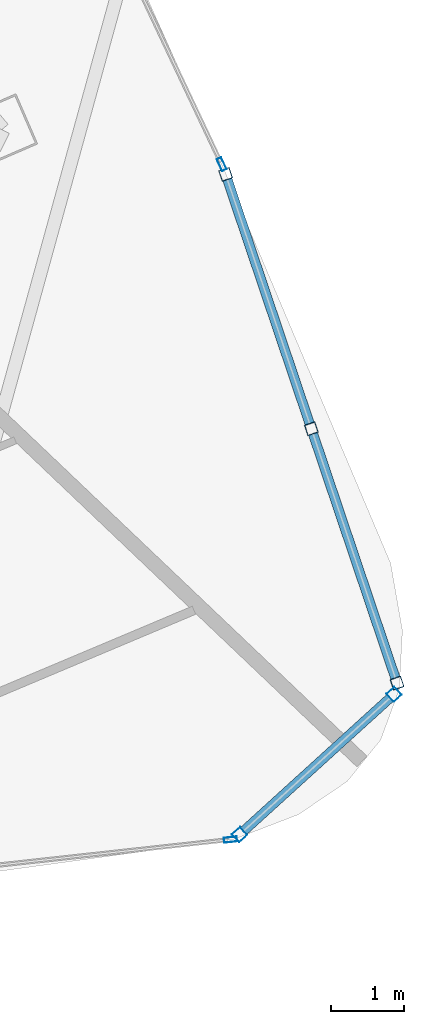
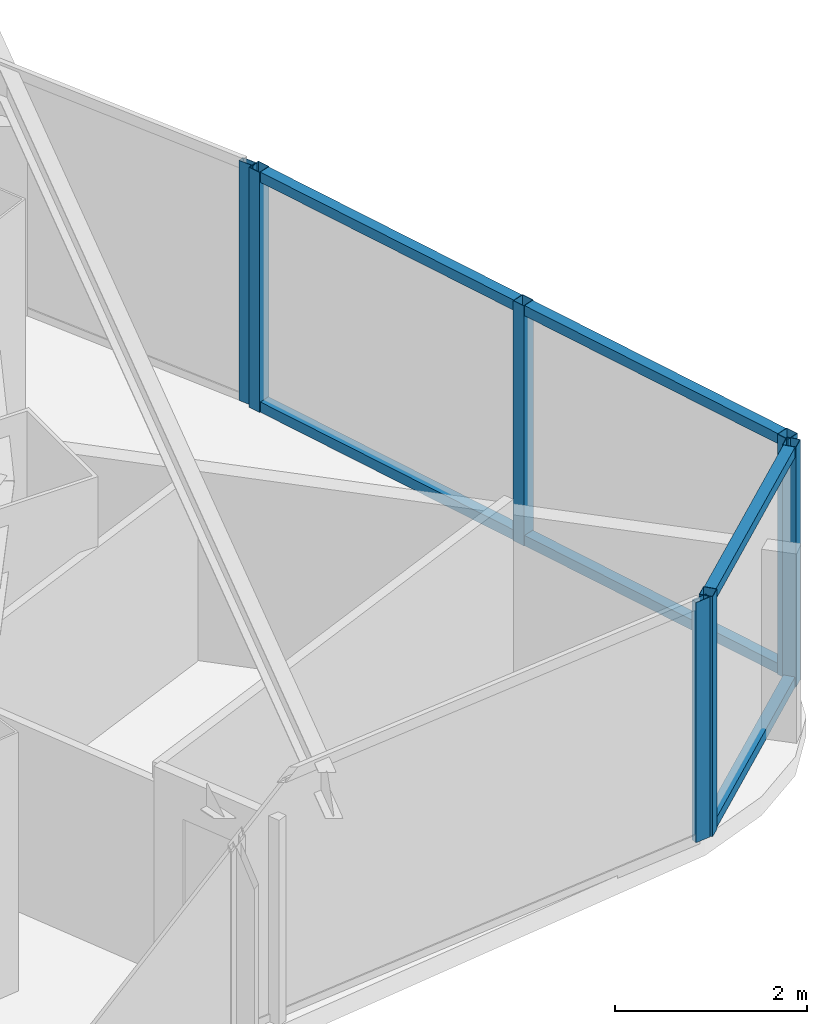
# One storey, part 13 of 31: 13 members, 4 elements without a shape of their own.
"""IFC4 building model written with IfcOpenShell, lengths in metres."""

from ifc_helpers import new_model, si_unit, direction, frame, origin, origin_2d, place, context, subcontext, project, spatial, hollow_rectangle, extrude, material, layer, layer_set, material_profile, profile_set, type_object, element, aggregate, save


model = new_model("IFC4")

# Units and contexts
model_context = context("Model", 3, precision=1e-05, world=origin(), true_north=direction((0.0, 1.0)))
body_context = subcontext(model_context, "Body", "Model", "MODEL_VIEW")
ifc_project = project(units=[si_unit("LENGTHUNIT", "METRE"), si_unit("AREAUNIT", "SQUARE_METRE"), si_unit("VOLUMEUNIT", "CUBIC_METRE"), si_unit("PLANEANGLEUNIT", "RADIAN"), si_unit("MASSUNIT", "GRAM", prefix="KILO")], contexts=[model_context])

# Site, building, storey
site_placement = place(None, origin())
site = spatial("IfcSite", under=ifc_project, at=site_placement, CompositionType="ELEMENT")
building_placement = place(site_placement, origin())
building = spatial("IfcBuilding", under=site, at=building_placement, Name="Orvanel Arch Residences", CompositionType="ELEMENT")
storey_placement = place(building_placement, frame((0.0, 0.0, 113.300048828125)))
storey = spatial("IfcBuildingStorey", under=building, at=storey_placement, Name="L31", CompositionType="ELEMENT", Elevation=113.300048828125)

# Curtain wall, members
ifc_material = material(Name="Bronze-anodised aluminium AA6063-T6", Category="aluminium")
ifc_layer_1 = layer(ifc_material, 0.18994140625)
ifc_layer_set_1 = layer_set([ifc_layer_1], Name="Bronze-anodised aluminium AA6063-T6")
curtain_wall_type_1 = type_object("IfcCurtainWallType", Name="CW5-CRN-SYS", PredefinedType="NOTDEFINED", material=ifc_layer_set_1)
curtain_wall_1_placement = place(storey_placement, origin())
curtain_wall_1 = element("IfcCurtainWall", 1, at=curtain_wall_1_placement, inside=storey, type_object=curtain_wall_type_1, Name="L31 CW5-CRN-SYS Unitised Curtain Wall", PredefinedType="NOTDEFINED")
ifc_material_profile_1 = material_profile(ifc_material, hollow_rectangle(XDim=0.14990234375, YDim=0.14990234375, WallThickness=0.0048828125, at=origin_2d()), Name="ALU150x150x5")
ifc_profile_set_1 = profile_set([ifc_material_profile_1], Name="Bronze-anodised aluminium AA6063-T6")
member_type_1 = type_object("IfcMemberType", Name="MUL-150x150", PredefinedType="MULLION", material=ifc_profile_set_1)
member_1_placement = place(storey_placement, frame((57.16455078125, 4.926513671875, 0.0), z_axis=(0.0, 0.0, 1.0), x_axis=(-0.672374817042, 0.740210851993, 0.0)))
member_1 = element("IfcMember", 2, at=member_1_placement, type_object=member_type_1, Name="CW-S5 mullion 1", PredefinedType="MULLION", context=body_context, shape_type="SweptSolid", body=[
    extrude(hollow_rectangle(XDim=0.14990234375, YDim=0.14990234375, WallThickness=0.0048828125, at=origin_2d()), origin(), (0.0, 0.0, 1.0), 3.06005859375),
])
member_2_placement = place(storey_placement, frame((59.279541015625, 6.84765625, 0.0), z_axis=(0.0, 0.0, 1.0), x_axis=(-0.672374817042, 0.740210851993, 0.0)))
member_2 = element("IfcMember", 3, at=member_2_placement, type_object=member_type_1, Name="CW-S5 mullion 2", PredefinedType="MULLION", context=body_context, shape_type="SweptSolid", body=[
    extrude(hollow_rectangle(XDim=0.14990234375, YDim=0.14990234375, WallThickness=0.0048828125, at=origin_2d()), origin(), (0.0, 0.0, 1.0), 3.06005859375),
])

curtain_wall_2_placement = place(storey_placement, origin())
curtain_wall_2 = element("IfcCurtainWall", 4, at=curtain_wall_2_placement, inside=storey, type_object=curtain_wall_type_1, Name="L31 CW5-CRN-SYS Unitised Curtain Wall", PredefinedType="NOTDEFINED")
member_3_placement = place(storey_placement, frame((59.320068359375, 7.0009765625, 0.0), z_axis=(0.0, 0.0, 1.0), x_axis=(-0.947624973099, -0.319385206856, 0.0)))
member_3 = element("IfcMember", 5, at=member_3_placement, type_object=member_type_1, Name="CW-S5 mullion 1", PredefinedType="MULLION", context=body_context, shape_type="SweptSolid", body=[
    extrude(hollow_rectangle(XDim=0.14990234375, YDim=0.14990234375, WallThickness=0.0048828125, at=origin_2d()), origin(), (0.0, 0.0, 1.0), 3.06005859375),
])
member_4_placement = place(storey_placement, frame((58.14599609375, 10.484619140625, 0.0), z_axis=(0.0, 0.0, 1.0), x_axis=(-0.947624973099, -0.319385206856, 0.0)))
member_4 = element("IfcMember", 6, at=member_4_placement, type_object=member_type_1, Name="CW-S5 mullion 2", PredefinedType="MULLION", context=body_context, shape_type="SweptSolid", body=[
    extrude(hollow_rectangle(XDim=0.14990234375, YDim=0.14990234375, WallThickness=0.0048828125, at=origin_2d()), origin(), (0.0, 0.0, 1.0), 3.06005859375),
])
member_5_placement = place(storey_placement, frame((56.971923828125, 13.968017578125, 0.0), z_axis=(0.0, 0.0, 1.0), x_axis=(-0.947624973099, -0.319385206856, 0.0)))
member_5 = element("IfcMember", 7, at=member_5_placement, type_object=member_type_1, Name="CW-S5 mullion 3", PredefinedType="MULLION", context=body_context, shape_type="SweptSolid", body=[
    extrude(hollow_rectangle(XDim=0.14990234375, YDim=0.14990234375, WallThickness=0.0048828125, at=origin_2d()), origin(), (0.0, 0.0, 1.0), 3.06005859375),
])

# Curtain wall, member
ifc_layer_2 = layer(ifc_material, 0.179931640625)
ifc_layer_set_2 = layer_set([ifc_layer_2], Name="Bronze-anodised aluminium AA6063-T6")
curtain_wall_type_2 = type_object("IfcCurtainWallType", Name="CW3-MID-SYS", PredefinedType="NOTDEFINED", material=ifc_layer_set_2)
curtain_wall_3_placement = place(storey_placement, origin())
curtain_wall_3 = element("IfcCurtainWall", 8, at=curtain_wall_3_placement, inside=storey, type_object=curtain_wall_type_2, Name="L31 CW3-MID-SYS Unitised Curtain Wall", PredefinedType="NOTDEFINED")
ifc_material_profile_2 = material_profile(ifc_material, hollow_rectangle(XDim=0.070068359375, YDim=0.179931640625, WallThickness=0.00439453125, at=origin_2d()), Name="ALU180x70x4.5")
ifc_profile_set_2 = profile_set([ifc_material_profile_2], Name="Bronze-anodised aluminium AA6063-T6")
member_type_2 = type_object("IfcMemberType", Name="MUL-180x70", PredefinedType="MULLION", material=ifc_profile_set_2)
member_6_placement = place(storey_placement, frame((57.039306640625, 4.857177734375, 0.0), z_axis=(0.0, 0.0, 1.0), x_axis=(-0.109154736008, 0.994024770117, 0.0)))
member_6 = element("IfcMember", 9, at=member_6_placement, type_object=member_type_2, Name="CW-S3 mullion 4", PredefinedType="MULLION", context=body_context, shape_type="SweptSolid", body=[
    extrude(hollow_rectangle(XDim=0.070068359375, YDim=0.179931640625, WallThickness=0.00439453125, at=origin_2d()), origin(), (0.0, 0.0, 1.0), 3.06005859375),
])
aggregate(curtain_wall_3, [member_6])

curtain_wall_4_placement = place(storey_placement, origin())
curtain_wall_4 = element("IfcCurtainWall", 10, at=curtain_wall_4_placement, inside=storey, type_object=curtain_wall_type_2, Name="L31 CW3-MID-SYS Unitised Curtain Wall", PredefinedType="NOTDEFINED")
member_7_placement = place(storey_placement, frame((56.91796875, 14.107666015625, 0.0), z_axis=(0.0, 0.0, 1.0), x_axis=(-0.904427848168, -0.42662661363, 0.0)))
member_7 = element("IfcMember", 11, at=member_7_placement, type_object=member_type_2, Name="CW-S3 mullion 1", PredefinedType="MULLION", context=body_context, shape_type="SweptSolid", body=[
    extrude(hollow_rectangle(XDim=0.070068359375, YDim=0.179931640625, WallThickness=0.00439453125, at=origin_2d()), origin(), (0.0, 0.0, 1.0), 3.06005859375),
])
aggregate(curtain_wall_4, [member_7])

# Member
ifc_material_profile_3 = material_profile(ifc_material, hollow_rectangle(XDim=0.1298828125, YDim=0.1298828125, WallThickness=0.00439453125, at=origin_2d()), Name="ALU130x130x4.5")
ifc_profile_set_3 = profile_set([ifc_material_profile_3], Name="Bronze-anodised aluminium AA6063-T6")
member_type_3 = type_object("IfcMemberType", Name="TRN-130x130", PredefinedType="USERDEFINED", material=ifc_profile_set_3)
member_8_placement = place(storey_placement, frame((57.219970703125, 4.976806640625, 0.06494140625), z_axis=(0.7402011737, 0.672385471626, 0.0), x_axis=(-0.672385471626, 0.7402011737, 0.0)))
member_8 = element("IfcMember", 12, at=member_8_placement, type_object=member_type_3, Name="CW-S5 transom 1.1", ObjectType="TRANSOM", PredefinedType="USERDEFINED", context=body_context, shape_type="SweptSolid", body=[
    extrude(hollow_rectangle(XDim=0.1298828125, YDim=0.1298828125, WallThickness=0.00439453125, at=origin_2d()), origin(), (0.0, 0.0, 1.0), 2.707275390625),
])

member_9_placement = place(storey_placement, frame((57.219970703125, 4.976806640625, 2.994873046875), z_axis=(0.7402011737, 0.672385471626, 0.0), x_axis=(-0.672385471626, 0.7402011737, 0.0)))
member_9 = element("IfcMember", 13, at=member_9_placement, type_object=member_type_3, Name="CW-S5 transom 1.2", ObjectType="TRANSOM", PredefinedType="USERDEFINED", context=body_context, shape_type="SweptSolid", body=[
    extrude(hollow_rectangle(XDim=0.1298828125, YDim=0.1298828125, WallThickness=0.00439453125, at=origin_2d()), origin(), (0.0, 0.0, 1.0), 2.707275390625),
])

aggregate(curtain_wall_1, [member_1, member_2, member_8, member_9])

member_10_placement = place(storey_placement, frame((59.296142578125, 7.072265625, 0.06494140625), z_axis=(-0.319425065817, 0.947611538199, 0.0), x_axis=(-0.947611538199, -0.319425065817, 0.0)))
member_10 = element("IfcMember", 14, at=member_10_placement, type_object=member_type_3, Name="CW-S5 transom 1.1", ObjectType="TRANSOM", PredefinedType="USERDEFINED", context=body_context, shape_type="SweptSolid", body=[
    extrude(hollow_rectangle(XDim=0.1298828125, YDim=0.1298828125, WallThickness=0.00439453125, at=origin_2d()), origin(), (0.0, 0.0, 1.0), 3.52587890625),
])

member_11_placement = place(storey_placement, frame((59.296142578125, 7.072265625, 2.994873046875), z_axis=(-0.319425065817, 0.947611538199, 0.0), x_axis=(-0.947611538199, -0.319425065817, 0.0)))
member_11 = element("IfcMember", 15, at=member_11_placement, type_object=member_type_3, Name="CW-S5 transom 1.2", ObjectType="TRANSOM", PredefinedType="USERDEFINED", context=body_context, shape_type="SweptSolid", body=[
    extrude(hollow_rectangle(XDim=0.1298828125, YDim=0.1298828125, WallThickness=0.00439453125, at=origin_2d()), origin(), (0.0, 0.0, 1.0), 3.52587890625),
])

member_12_placement = place(storey_placement, frame((58.1220703125, 10.5556640625, 0.06494140625), z_axis=(-0.319404107424, 0.947618602688, 0.0), x_axis=(-0.947618602688, -0.319404107424, 0.0)))
member_12 = element("IfcMember", 16, at=member_12_placement, type_object=member_type_3, Name="CW-S5 transom 2.1", ObjectType="TRANSOM", PredefinedType="USERDEFINED", context=body_context, shape_type="SweptSolid", body=[
    extrude(hollow_rectangle(XDim=0.1298828125, YDim=0.1298828125, WallThickness=0.00439453125, at=origin_2d()), origin(), (0.0, 0.0, 1.0), 3.526123046875),
])

member_13_placement = place(storey_placement, frame((58.1220703125, 10.5556640625, 2.994873046875), z_axis=(-0.319404107424, 0.947618602688, 0.0), x_axis=(-0.947618602688, -0.319404107424, 0.0)))
member_13 = element("IfcMember", 17, at=member_13_placement, type_object=member_type_3, Name="CW-S5 transom 2.2", ObjectType="TRANSOM", PredefinedType="USERDEFINED", context=body_context, shape_type="SweptSolid", body=[
    extrude(hollow_rectangle(XDim=0.1298828125, YDim=0.1298828125, WallThickness=0.00439453125, at=origin_2d()), origin(), (0.0, 0.0, 1.0), 3.526123046875),
])

aggregate(curtain_wall_2, [member_3, member_4, member_5, member_10, member_11, member_12, member_13])

save(model, "model.ifc")
